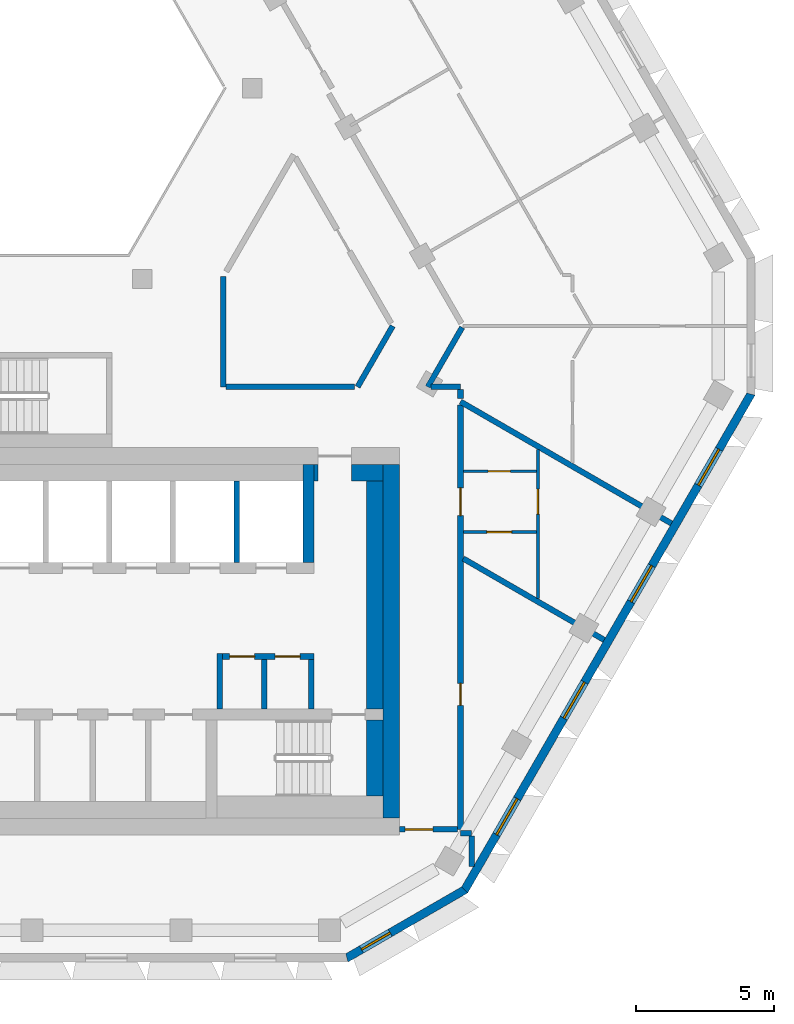
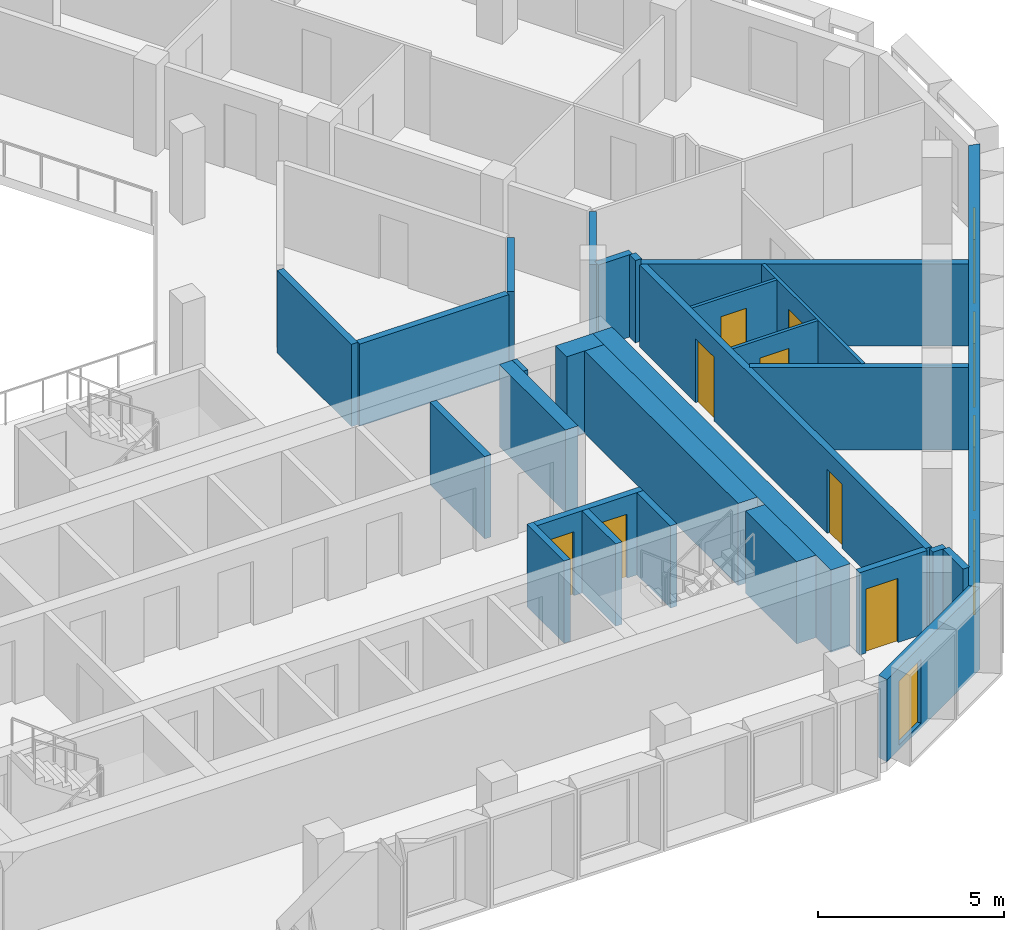
# One storey, part 5 of 15: 28 walls, 8 doors, 5 windows, 13 openings.
"""IFC4 building model written with IfcOpenShell, lengths in metres."""

from ifc_helpers import new_model, si_unit, direction, frame, frame_2d, origin, place, context, subcontext, project, spatial, polyline, rectangle, outline, extrude, material, layer, layer_set, type_object, element, fill, save


model = new_model("IFC4")

# Units and contexts
model_context = context("Model", 3, precision=1e-05, world=origin(), true_north=direction((0.0, 1.0)))
body_context = subcontext(model_context, "Body", "Model", "MODEL_VIEW")
ifc_project = project(units=[si_unit("LENGTHUNIT", "METRE"), si_unit("AREAUNIT", "SQUARE_METRE"), si_unit("VOLUMEUNIT", "CUBIC_METRE"), si_unit("PLANEANGLEUNIT", "RADIAN"), si_unit("MASSUNIT", "GRAM", prefix="KILO")], contexts=[model_context])

# Site, building, storey
site_placement = place(None, origin())
site = spatial("IfcSite", under=ifc_project, at=site_placement, CompositionType="ELEMENT")
building_placement = place(site_placement, origin())
building = spatial("IfcBuilding", under=site, at=building_placement, Name="Beryl Residences", CompositionType="ELEMENT")
storey_placement = place(building_placement, frame((0.0, 0.0, 169.199951171875)))
storey = spatial("IfcBuildingStorey", under=building, at=storey_placement, Name="L51", CompositionType="ELEMENT", Elevation=169.199951171875)

# Wall, opening, window
ifc_material_1 = material(Name="Composite metal panel with mineral wool insulation")
ifc_layer_1 = layer(ifc_material_1, 0.300048828125)
ifc_layer_set_1 = layer_set([ifc_layer_1], Name="ES1 pale metal composite panel wall 300 mm")
wall_type_1 = type_object("IfcWallType", Name="ES1 pale metal composite panel wall 300 mm", PredefinedType="SOLIDWALL", material=ifc_layer_set_1)
wall_1_placement = place(storey_placement, frame((11.35595703125, -23.469970703125, 0.0), z_axis=(0.0, 0.0, 1.0), x_axis=(0.866022959057, 0.500004234368, 0.0)))
wall_1 = element("IfcWall", 1, at=wall_1_placement, inside=storey, type_object=wall_type_1, Name="ES1 external wall L51 S-SE", PredefinedType="SOLIDWALL", context=body_context, shape_type="SweptSolid", body=[
    extrude(outline(polyline([(0.0, -0.14990234375), (5.0, -0.14990234375), (4.919677734375, 0.14990234375), (0.080322265625, 0.14990234375), (0.0, -0.14990234375)])), origin(), (0.0, 0.0, 1.0), 2.699951171875),
])
opening_1_placement = place(wall_1_placement, frame((0.64990234375, 0.0, 0.14990234375)))
opening_1 = element("IfcOpeningElement", 2, at=opening_1_placement, cuts=wall_1, Name="Opening W2", PredefinedType="OPENING", context=body_context, shape_type="SweptSolid", body=[
    extrude(rectangle(XDim=1.199951171875, YDim=2.10009765625, at=frame_2d((0.60009765625, 1.050048828125))), frame((0.0, 0.159912109375, 0.0), z_axis=(0.0, -1.0, 0.0), x_axis=(1.0, 0.0, 0.0)), (0.0, 0.0, 1.0), 0.320068359375),
])
ifc_material_2 = material(Name="Aluminium and clear glass", Category="aluminium")
window_type_1 = type_object("IfcWindowType", Name="W2 chamfer window 1200 x 2100 mm", PartitioningType="SINGLE_PANEL", PredefinedType="WINDOW", material=ifc_material_2)
window_1_placement = place(opening_1_placement, origin())
window_1 = element("IfcWindow", 3, at=window_1_placement, inside=storey, type_object=window_type_1, Name="W2 window L51 S-SE 1", OverallHeight=2.10009765625, OverallWidth=1.199951171875, PartitioningType="SINGLE_PANEL", PredefinedType="WINDOW", context=body_context, shape_type="SweptSolid", body=[
    extrude(rectangle(XDim=1.199951171875, YDim=2.10009765625, at=frame_2d((0.60009765625, 1.050048828125))), frame((0.0, 0.030029296875, 0.0), z_axis=(0.0, -1.0, 0.0), x_axis=(1.0, 0.0, 0.0)), (0.0, 0.0, 1.0), 0.06005859375),
])
fill(opening_1, window_1)

# Wall, openings, windows
wall_2_placement = place(storey_placement, frame((15.631103515625, -21.02490234375, 0.0), z_axis=(0.0, 0.0, 1.0), x_axis=(0.500018670445, 0.86601462413, 0.0)))
wall_2 = element("IfcWall", 4, at=wall_2_placement, inside=storey, type_object=wall_type_1, Name="ES1 external wall L51 SE", PredefinedType="SOLIDWALL", context=body_context, shape_type="SweptSolid", body=[
    extrude(outline(polyline([(0.0, -0.14990234375), (20.784912109375, -0.14990234375), (20.70458984375, 0.14990234375), (0.080322265625, 0.14990234375), (0.0, -0.14990234375)])), origin(), (0.0, 0.0, 1.0), 2.699951171875),
])
opening_2_placement = place(wall_2_placement, frame((2.345947265625, 0.0, 0.14990234375)))
opening_2 = element("IfcOpeningElement", 5, at=opening_2_placement, cuts=wall_2, Name="Opening W1", PredefinedType="OPENING", context=body_context, shape_type="SweptSolid", body=[
    extrude(rectangle(XDim=1.5, YDim=2.10009765625, at=frame_2d((0.75, 1.050048828125))), frame((0.0, 0.159912109375, 0.0), z_axis=(0.0, -1.0, 0.0), x_axis=(1.0, 0.0, 0.0)), (0.0, 0.0, 1.0), 0.320068359375),
])
opening_3_placement = place(wall_2_placement, frame((7.2099609375, 0.0, 0.14990234375)))
opening_3 = element("IfcOpeningElement", 6, at=opening_3_placement, cuts=wall_2, Name="Opening W1", PredefinedType="OPENING", context=body_context, shape_type="SweptSolid", body=[
    extrude(rectangle(XDim=1.5, YDim=2.10009765625, at=frame_2d((0.75, 1.050048828125))), frame((0.0, 0.159912109375, 0.0), z_axis=(0.0, -1.0, 0.0), x_axis=(1.0, 0.0, 0.0)), (0.0, 0.0, 1.0), 0.320068359375),
])
opening_4_placement = place(wall_2_placement, frame((12.072998046875, 0.0, 0.14990234375)))
opening_4 = element("IfcOpeningElement", 7, at=opening_4_placement, cuts=wall_2, Name="Opening W1", PredefinedType="OPENING", context=body_context, shape_type="SweptSolid", body=[
    extrude(rectangle(XDim=1.5, YDim=2.10009765625, at=frame_2d((0.75, 1.050048828125))), frame((0.0, 0.159912109375, 0.0), z_axis=(0.0, -1.0, 0.0), x_axis=(1.0, 0.0, 0.0)), (0.0, 0.0, 1.0), 0.320068359375),
])
opening_5_placement = place(wall_2_placement, frame((16.93798828125, 0.0, 0.14990234375)))
opening_5 = element("IfcOpeningElement", 8, at=opening_5_placement, cuts=wall_2, Name="Opening W1", PredefinedType="OPENING", context=body_context, shape_type="SweptSolid", body=[
    extrude(rectangle(XDim=1.5, YDim=2.10009765625, at=frame_2d((0.75, 1.050048828125))), frame((0.0, 0.159912109375, 0.0), z_axis=(0.0, -1.0, 0.0), x_axis=(1.0, 0.0, 0.0)), (0.0, 0.0, 1.0), 0.320068359375),
])
ifc_material_3 = material(Name="Aluminium and clear glass", Category="aluminium")
window_type_2 = type_object("IfcWindowType", Name="W1 cell window 1500 x 2100 mm", PartitioningType="SINGLE_PANEL", PredefinedType="WINDOW", material=ifc_material_3)
window_2_placement = place(opening_2_placement, origin())
window_2 = element("IfcWindow", 9, at=window_2_placement, inside=storey, type_object=window_type_2, Name="W1 window L51 SE 2", OverallHeight=2.10009765625, OverallWidth=1.5, PartitioningType="SINGLE_PANEL", PredefinedType="WINDOW", context=body_context, shape_type="SweptSolid", body=[
    extrude(rectangle(XDim=1.5, YDim=2.10009765625, at=frame_2d((0.75, 1.050048828125))), frame((0.0, 0.030029296875, 0.0), z_axis=(0.0, -1.0, 0.0), x_axis=(1.0, 0.0, 0.0)), (0.0, 0.0, 1.0), 0.06005859375),
])
fill(opening_2, window_2)
window_3_placement = place(opening_3_placement, origin())
window_3 = element("IfcWindow", 10, at=window_3_placement, inside=storey, type_object=window_type_2, Name="W1 window L51 SE 4", OverallHeight=2.10009765625, OverallWidth=1.5, PartitioningType="SINGLE_PANEL", PredefinedType="WINDOW", context=body_context, shape_type="SweptSolid", body=[
    extrude(rectangle(XDim=1.5, YDim=2.10009765625, at=frame_2d((0.75, 1.050048828125))), frame((0.0, 0.030029296875, 0.0), z_axis=(0.0, -1.0, 0.0), x_axis=(1.0, 0.0, 0.0)), (0.0, 0.0, 1.0), 0.06005859375),
])
fill(opening_3, window_3)
window_4_placement = place(opening_4_placement, origin())
window_4 = element("IfcWindow", 11, at=window_4_placement, inside=storey, type_object=window_type_2, Name="W1 window L51 SE 6", OverallHeight=2.10009765625, OverallWidth=1.5, PartitioningType="SINGLE_PANEL", PredefinedType="WINDOW", context=body_context, shape_type="SweptSolid", body=[
    extrude(rectangle(XDim=1.5, YDim=2.10009765625, at=frame_2d((0.75, 1.050048828125))), frame((0.0, 0.030029296875, 0.0), z_axis=(0.0, -1.0, 0.0), x_axis=(1.0, 0.0, 0.0)), (0.0, 0.0, 1.0), 0.06005859375),
])
fill(opening_4, window_4)
window_5_placement = place(opening_5_placement, origin())
window_5 = element("IfcWindow", 12, at=window_5_placement, inside=storey, type_object=window_type_2, Name="W1 window L51 SE 8", OverallHeight=2.10009765625, OverallWidth=1.5, PartitioningType="SINGLE_PANEL", PredefinedType="WINDOW", context=body_context, shape_type="SweptSolid", body=[
    extrude(rectangle(XDim=1.5, YDim=2.10009765625, at=frame_2d((0.75, 1.050048828125))), frame((0.0, 0.030029296875, 0.0), z_axis=(0.0, -1.0, 0.0), x_axis=(1.0, 0.0, 0.0)), (0.0, 0.0, 1.0), 0.06005859375),
])
fill(opening_5, window_5)

# Wall, opening, door
ifc_material_4 = material(Name="Gypsum board partition on steel studs", Category="steel")
ifc_layer_2 = layer(ifc_material_4, 0.10009765625)
ifc_layer_set_2 = layer_set([ifc_layer_2], Name="PT1 partition 100 mm gypsum board on steel studs")
wall_type_2 = type_object("IfcWallType", Name="PT1 partition 100 mm gypsum board on steel studs", PredefinedType="PARTITIONING", material=ifc_layer_set_2)
wall_3_placement = place(storey_placement, frame((15.60009765625, -5.85107421875, 0.0), z_axis=(0.0, 0.0, 1.0), x_axis=(1.0, 0.0, 0.0)))
wall_3 = element("IfcWall", 13, at=wall_3_placement, inside=storey, type_object=wall_type_2, Name="Wall PT1 L51 017", PredefinedType="PARTITIONING", context=body_context, shape_type="SweptSolid", body=[
    extrude(rectangle(XDim=2.64990234375, YDim=0.10009765625, at=frame_2d((1.324951171875, 0.0))), origin(), (0.0, 0.0, 1.0), 2.699951171875),
])
opening_6_placement = place(wall_3_placement, frame((0.89990234375, 0.0, 0.0)))
opening_6 = element("IfcOpeningElement", 14, at=opening_6_placement, cuts=wall_3, Name="Opening D1612", PredefinedType="OPENING", context=body_context, shape_type="SweptSolid", body=[
    extrude(rectangle(XDim=0.800048828125, YDim=2.10009765625, at=frame_2d((0.39990234375, 1.050048828125))), frame((0.0, 0.06005859375, 0.0), z_axis=(0.0, -1.0, 0.0), x_axis=(1.0, 0.0, 0.0)), (0.0, 0.0, 1.0), 0.1201171875),
])
ifc_material_5 = material(Name="Timber door leaf", Category="wood")
door_type_1 = type_object("IfcDoorType", Name="D3 bathroom door 800 x 2100 mm", OperationType="SINGLE_SWING_LEFT", PredefinedType="DOOR", material=ifc_material_5)
door_1_placement = place(opening_6_placement, origin())
door_1 = element("IfcDoor", 15, at=door_1_placement, inside=storey, type_object=door_type_1, Name="Door D1612 L51 001", OperationType="SINGLE_SWING_RIGHT", OverallHeight=2.10009765625, OverallWidth=0.800048828125, PredefinedType="DOOR", context=body_context, shape_type="SweptSolid", body=[
    extrude(rectangle(XDim=0.800048828125, YDim=2.10009765625, at=frame_2d((0.39990234375, 1.050048828125))), frame((0.0, 0.02490234375, 0.0), z_axis=(0.0, -1.0, 0.0), x_axis=(1.0, 0.0, 0.0)), (0.0, 0.0, 1.0), 0.050048828125),
])
fill(opening_6, door_1)

wall_4_placement = place(storey_placement, frame((15.60009765625, -8.051025390625, 0.0), z_axis=(0.0, 0.0, 1.0), x_axis=(1.0, 0.0, 0.0)))
wall_4 = element("IfcWall", 16, at=wall_4_placement, inside=storey, type_object=wall_type_2, Name="Wall PT1 L51 019", PredefinedType="PARTITIONING", context=body_context, shape_type="SweptSolid", body=[
    extrude(rectangle(XDim=2.64990234375, YDim=0.10009765625, at=frame_2d((1.324951171875, 0.0))), origin(), (0.0, 0.0, 1.0), 2.699951171875),
])
opening_7_placement = place(wall_4_placement, frame((0.85009765625, 0.0, 0.0)))
opening_7 = element("IfcOpeningElement", 17, at=opening_7_placement, cuts=wall_4, Name="Opening D1613", PredefinedType="OPENING", context=body_context, shape_type="SweptSolid", body=[
    extrude(rectangle(XDim=0.89990234375, YDim=2.10009765625, at=frame_2d((0.449951171875, 1.050048828125))), frame((0.0, 0.06005859375, 0.0), z_axis=(0.0, -1.0, 0.0), x_axis=(1.0, 0.0, 0.0)), (0.0, 0.0, 1.0), 0.1201171875),
])
ifc_material_6 = material(Name="Timber door leaf", Category="wood")
door_type_2 = type_object("IfcDoorType", Name="D2 room door 900 x 2100 mm", OperationType="SINGLE_SWING_LEFT", PredefinedType="DOOR", material=ifc_material_6)
door_2_placement = place(opening_7_placement, origin())
door_2 = element("IfcDoor", 18, at=door_2_placement, inside=storey, type_object=door_type_2, Name="Door D1613 L51 001", OperationType="SINGLE_SWING_LEFT", OverallHeight=2.10009765625, OverallWidth=0.89990234375, PredefinedType="DOOR", context=body_context, shape_type="SweptSolid", body=[
    extrude(rectangle(XDim=0.89990234375, YDim=2.10009765625, at=frame_2d((0.449951171875, 1.050048828125))), frame((0.0, 0.02490234375, 0.0), z_axis=(0.0, -1.0, 0.0), x_axis=(1.0, 0.0, 0.0)), (0.0, 0.0, 1.0), 0.050048828125),
])
fill(opening_7, door_2)

wall_5_placement = place(storey_placement, frame((18.300048828125, -10.451904296875, 0.0), z_axis=(0.0, 0.0, 1.0), x_axis=(0.0, 1.0, 0.0)))
wall_5 = element("IfcWall", 19, at=wall_5_placement, inside=storey, type_object=wall_type_2, Name="Wall PT1 L51 033", PredefinedType="PARTITIONING", context=body_context, shape_type="SweptSolid", body=[
    extrude(rectangle(XDim=5.385986328125, YDim=0.10009765625, at=frame_2d((2.69287109375, 0.0))), origin(), (0.0, 0.0, 1.0), 2.699951171875),
])
opening_8_placement = place(wall_5_placement, frame((3.051025390625, 0.0, 0.0)))
opening_8 = element("IfcOpeningElement", 20, at=opening_8_placement, cuts=wall_5, Name="Opening D1614", PredefinedType="OPENING", context=body_context, shape_type="SweptSolid", body=[
    extrude(rectangle(XDim=0.89990234375, YDim=2.10009765625, at=frame_2d((0.449951171875, 1.050048828125))), frame((0.0, 0.06005859375, 0.0), z_axis=(0.0, -1.0, 0.0), x_axis=(1.0, 0.0, 0.0)), (0.0, 0.0, 1.0), 0.1201171875),
])
door_3_placement = place(opening_8_placement, origin())
door_3 = element("IfcDoor", 21, at=door_3_placement, inside=storey, type_object=door_type_2, Name="Door D1614 L51 001", OperationType="SINGLE_SWING_RIGHT", OverallHeight=2.10009765625, OverallWidth=0.89990234375, PredefinedType="DOOR", context=body_context, shape_type="SweptSolid", body=[
    extrude(rectangle(XDim=0.89990234375, YDim=2.10009765625, at=frame_2d((0.449951171875, 1.050048828125))), frame((0.0, 0.02490234375, 0.0), z_axis=(0.0, -1.0, 0.0), x_axis=(1.0, 0.0, 0.0)), (0.0, 0.0, 1.0), 0.050048828125),
])
fill(opening_8, door_3)

# Wall
ifc_material_7 = material(Name="Concrete masonry", Category="masonry")
ifc_layer_3 = layer(ifc_material_7, 0.199951171875)
ifc_layer_set_3 = layer_set([ifc_layer_3], Name="PT13 lobby wall 200 mm")
wall_type_3 = type_object("IfcWallType", Name="PT13 lobby wall 200 mm", PredefinedType="PARTITIONING", material=ifc_layer_set_3)
wall_6_placement = place(storey_placement, frame((6.800048828125, -14.449951171875, 0.0), z_axis=(0.0, 0.0, 1.0), x_axis=(0.0, 1.0, 0.0)))
element("IfcWall", 22, at=wall_6_placement, inside=storey, type_object=wall_type_3, Name="Lobby wall 26", PredefinedType="PARTITIONING", context=body_context, shape_type="SweptSolid", body=[
    extrude(rectangle(XDim=2.0, YDim=0.199951171875, at=frame_2d((1.0, 0.0))), origin(), (0.0, 0.0, 1.0), 2.699951171875),
])

# Wall, openings, doors
wall_7_placement = place(storey_placement, frame((6.89990234375, -12.550048828125, 0.0), z_axis=(0.0, 0.0, 1.0), x_axis=(1.0, 0.0, 0.0)))
wall_7 = element("IfcWall", 23, at=wall_7_placement, inside=storey, type_object=wall_type_3, Name="Lobby wall 27", PredefinedType="PARTITIONING", context=body_context, shape_type="SweptSolid", body=[
    extrude(rectangle(XDim=3.300048828125, YDim=0.199951171875, at=frame_2d((1.64990234375, 0.0))), origin(), (0.0, 0.0, 1.0), 2.699951171875),
])
opening_9_placement = place(wall_7_placement, frame((1.14990234375, 0.0, 0.0), z_axis=(0.0, 0.0, 1.0), x_axis=(-1.0, 0.0, 0.0)))
opening_9 = element("IfcOpeningElement", 24, at=opening_9_placement, cuts=wall_7, Name="Opening CD-D-A1-900", PredefinedType="OPENING", context=body_context, shape_type="SweptSolid", body=[
    extrude(rectangle(XDim=0.89990234375, YDim=2.10009765625, at=frame_2d((0.449951171875, 1.050048828125))), frame((0.0, 0.10986328125, 0.0), z_axis=(0.0, -1.0, 0.0), x_axis=(1.0, 0.0, 0.0)), (0.0, 0.0, 1.0), 0.219970703125),
])
opening_10_placement = place(wall_7_placement, frame((2.7998046875, 0.0, 0.0), z_axis=(0.0, 0.0, 1.0), x_axis=(-1.0, 0.0, 0.0)))
opening_10 = element("IfcOpeningElement", 25, at=opening_10_placement, cuts=wall_7, Name="Opening CD-D-A2-900", PredefinedType="OPENING", context=body_context, shape_type="SweptSolid", body=[
    extrude(rectangle(XDim=0.89990234375, YDim=2.10009765625, at=frame_2d((0.449951171875, 1.050048828125))), frame((0.0, 0.10986328125, 0.0), z_axis=(0.0, -1.0, 0.0), x_axis=(1.0, 0.0, 0.0)), (0.0, 0.0, 1.0), 0.219970703125),
])
ifc_material_8 = material(Name="Steel door leaf in steel frame", Category="steel")
door_type_3 = type_object("IfcDoorType", Name="D6 service room door 900 x 2100 mm", OperationType="SINGLE_SWING_LEFT", PredefinedType="DOOR", material=ifc_material_8)
door_4_placement = place(opening_9_placement, origin())
door_4 = element("IfcDoor", 26, at=door_4_placement, inside=storey, type_object=door_type_3, Name="Door CD-D-A1-900 L51 001", OperationType="SINGLE_SWING_RIGHT", OverallHeight=2.10009765625, OverallWidth=0.89990234375, PredefinedType="DOOR", context=body_context, shape_type="SweptSolid", body=[
    extrude(rectangle(XDim=0.89990234375, YDim=2.10009765625, at=frame_2d((0.449951171875, 1.050048828125))), frame((0.0, 0.02490234375, 0.0), z_axis=(0.0, -1.0, 0.0), x_axis=(1.0, 0.0, 0.0)), (0.0, 0.0, 1.0), 0.050048828125),
])
fill(opening_9, door_4)
door_5_placement = place(opening_10_placement, origin())
door_5 = element("IfcDoor", 27, at=door_5_placement, inside=storey, type_object=door_type_3, Name="Door CD-D-A2-900 L51 001", OperationType="SINGLE_SWING_LEFT", OverallHeight=2.10009765625, OverallWidth=0.89990234375, PredefinedType="DOOR", context=body_context, shape_type="SweptSolid", body=[
    extrude(rectangle(XDim=0.89990234375, YDim=2.10009765625, at=frame_2d((0.449951171875, 1.050048828125))), frame((0.0, 0.02490234375, 0.0), z_axis=(0.0, -1.0, 0.0), x_axis=(1.0, 0.0, 0.0)), (0.0, 0.0, 1.0), 0.050048828125),
])
fill(opening_10, door_5)

# Walls
wall_8_placement = place(storey_placement, frame((10.10009765625, -14.449951171875, 0.0), z_axis=(0.0, 0.0, 1.0), x_axis=(0.0, 1.0, 0.0)))
element("IfcWall", 28, at=wall_8_placement, inside=storey, type_object=wall_type_3, Name="Lobby wall 30", PredefinedType="PARTITIONING", context=body_context, shape_type="SweptSolid", body=[
    extrude(rectangle(XDim=1.800048828125, YDim=0.199951171875, at=frame_2d((0.89990234375, 0.0))), origin(), (0.0, 0.0, 1.0), 2.699951171875),
])
ifc_material_9 = material(Name="Concrete masonry", Category="masonry")
ifc_layer_4 = layer(ifc_material_9, 0.14990234375)
ifc_layer_set_4 = layer_set([ifc_layer_4], Name="PT13-150 lobby wall 150 mm")
wall_type_4 = type_object("IfcWallType", Name="PT13-150 lobby wall 150 mm", PredefinedType="PARTITIONING", material=ifc_layer_set_4)
wall_9_placement = place(storey_placement, frame((10.27490234375, -6.199951171875, 0.0), z_axis=(0.0, 0.0, 1.0), x_axis=(0.0, 1.0, 0.0)))
element("IfcWall", 29, at=wall_9_placement, inside=storey, type_object=wall_type_4, Name="Lobby wall 31", PredefinedType="PARTITIONING", context=body_context, shape_type="SweptSolid", body=[
    extrude(rectangle(XDim=0.599853515625, YDim=0.14990234375, at=frame_2d((0.2998046875, 0.0))), origin(), (0.0, 0.0, 1.0), 2.699951171875),
])
ifc_material_10 = material(Name="Concrete masonry", Category="masonry")
ifc_layer_5 = layer(ifc_material_10, 0.60009765625)
ifc_layer_set_5 = layer_set([ifc_layer_5], Name="PT13-600 lobby wall 600 mm")
wall_type_5 = type_object("IfcWallType", Name="PT13-600 lobby wall 600 mm", PredefinedType="PARTITIONING", material=ifc_layer_set_5)
wall_10_placement = place(storey_placement, frame((11.550048828125, -5.89990234375, 0.0), z_axis=(0.0, 0.0, 1.0), x_axis=(1.0, 0.0, 0.0)))
element("IfcWall", 30, at=wall_10_placement, inside=storey, type_object=wall_type_5, Name="Lobby wall 32", PredefinedType="PARTITIONING", context=body_context, shape_type="SweptSolid", body=[
    extrude(rectangle(XDim=1.14990234375, YDim=0.60009765625, at=frame_2d((0.574951171875, 0.0))), origin(), (0.0, 0.0, 1.0), 2.699951171875),
])
wall_11_placement = place(storey_placement, frame((12.39990234375, -14.449951171875, 0.0), z_axis=(0.0, 0.0, 1.0), x_axis=(0.0, 1.0, 0.0)))
element("IfcWall", 31, at=wall_11_placement, inside=storey, type_object=wall_type_5, Name="Lobby wall 34", PredefinedType="PARTITIONING", context=body_context, shape_type="SweptSolid", body=[
    extrude(rectangle(XDim=8.25, YDim=0.60009765625, at=frame_2d((4.125, 0.0))), origin(), (0.0, 0.0, 1.0), 2.699951171875),
])
ifc_material_11 = material(Name="Acoustic double stud gypsum board wall")
ifc_layer_6 = layer(ifc_material_11, 0.199951171875)
ifc_layer_set_6 = layer_set([ifc_layer_6], Name="PT3 party wall 200 mm acoustic double stud")
wall_type_6 = type_object("IfcWallType", Name="PT3 party wall 200 mm acoustic double stud", PredefinedType="PARTITIONING", material=ifc_layer_set_6)
wall_12_placement = place(storey_placement, frame((15.89990234375, -19.051025390625, 0.0), z_axis=(0.0, 0.0, 1.0), x_axis=(0.0, -1.0, 0.0)))
element("IfcWall", 32, at=wall_12_placement, inside=storey, type_object=wall_type_6, Name="Wall PT3 L51 001", PredefinedType="PARTITIONING", context=body_context, shape_type="SweptSolid", body=[
    extrude(rectangle(XDim=1.0869140625, YDim=0.199951171875, at=frame_2d((0.54345703125, 0.0))), origin(), (0.0, 0.0, 1.0), 2.699951171875),
])
wall_13_placement = place(storey_placement, frame((15.60009765625, -9.008056640625, 0.0), z_axis=(0.0, 0.0, 1.0), x_axis=(0.866013576751, -0.500020484464, 0.0)))
element("IfcWall", 33, at=wall_13_placement, inside=storey, type_object=wall_type_6, Name="Wall PT3 L51 003", PredefinedType="PARTITIONING", context=body_context, shape_type="SweptSolid", body=[
    extrude(rectangle(XDim=5.885498046875, YDim=0.199951171875, at=frame_2d((2.94287109375, 0.0))), origin(), (0.0, 0.0, 1.0), 2.699951171875),
])
wall_14_placement = place(storey_placement, frame((15.5, -3.333984375, 0.0), z_axis=(0.0, 0.0, 1.0), x_axis=(0.866001896501, -0.5000407136, 0.0)))
element("IfcWall", 34, at=wall_14_placement, inside=storey, type_object=wall_type_6, Name="Wall PT3 L51 004", PredefinedType="PARTITIONING", context=body_context, shape_type="SweptSolid", body=[
    extrude(rectangle(XDim=8.809326171875, YDim=0.199951171875, at=frame_2d((4.40478515625, 0.0))), origin(), (0.0, 0.0, 1.0), 2.699951171875),
])
wall_15_placement = place(storey_placement, frame((15.4990234375, -18.949951171875, 0.0), z_axis=(0.0, 0.0, 1.0), x_axis=(1.0, 0.0, 0.0)))
element("IfcWall", 35, at=wall_15_placement, inside=storey, type_object=wall_type_6, Name="Wall PT3 L51 013", PredefinedType="PARTITIONING", context=body_context, shape_type="SweptSolid", body=[
    extrude(rectangle(XDim=0.39990234375, YDim=0.199951171875, at=frame_2d((0.199951171875, 0.0))), origin(), (0.0, 0.0, 1.0), 2.699951171875),
])
ifc_material_12 = material(Name="Double stud gypsum board wall")
ifc_layer_7 = layer(ifc_material_12, 0.199951171875)
ifc_layer_set_7 = layer_set([ifc_layer_7], Name="PT4 corridor wall 200 mm double stud")
wall_type_7 = type_object("IfcWallType", Name="PT4 corridor wall 200 mm double stud", PredefinedType="PARTITIONING", material=ifc_layer_set_7)
wall_16_placement = place(storey_placement, frame((15.5, -2.90087890625, 0.0), z_axis=(0.0, 0.0, 1.0), x_axis=(0.0, -1.0, 0.0)))
element("IfcWall", 36, at=wall_16_placement, inside=storey, type_object=wall_type_7, Name="Wall PT4 L51 007", PredefinedType="PARTITIONING", context=body_context, shape_type="SweptSolid", body=[
    extrude(rectangle(XDim=0.318115234375, YDim=0.199951171875, at=frame_2d((0.1591796875, 0.0))), origin(), (0.0, 0.0, 1.0), 2.699951171875),
])

# Wall, opening, door
wall_17_placement = place(storey_placement, frame((13.300048828125, -18.800048828125, 0.0), z_axis=(0.0, 0.0, 1.0), x_axis=(1.0, 0.0, 0.0)))
wall_17 = element("IfcWall", 37, at=wall_17_placement, inside=storey, type_object=wall_type_7, Name="Wall PT4 L51 009", PredefinedType="PARTITIONING", context=body_context, shape_type="SweptSolid", body=[
    extrude(rectangle(XDim=2.098876953125, YDim=0.199951171875, at=frame_2d((1.04931640625, 0.0))), origin(), (0.0, 0.0, 1.0), 2.699951171875),
])
opening_11_placement = place(wall_17_placement, frame((0.199951171875, 0.0, 0.0)))
opening_11 = element("IfcOpeningElement", 38, at=opening_11_placement, cuts=wall_17, Name="Opening D1644", PredefinedType="OPENING", context=body_context, shape_type="SweptSolid", body=[
    extrude(rectangle(XDim=1.0, YDim=2.10009765625, at=frame_2d((0.5, 1.050048828125))), frame((0.0, 0.10986328125, 0.0), z_axis=(0.0, -1.0, 0.0), x_axis=(1.0, 0.0, 0.0)), (0.0, 0.0, 1.0), 0.219970703125),
])
ifc_material_13 = material(Name="Timber door leaf", Category="wood")
door_type_4 = type_object("IfcDoorType", Name="D1 flat entrance door 1000 x 2100 mm", OperationType="SINGLE_SWING_LEFT", PredefinedType="DOOR", material=ifc_material_13)
door_6_placement = place(opening_11_placement, origin())
door_6 = element("IfcDoor", 39, at=door_6_placement, inside=storey, type_object=door_type_4, Name="Door D1644 L51 001", OperationType="SINGLE_SWING_LEFT", OverallHeight=2.10009765625, OverallWidth=1.0, PredefinedType="DOOR", context=body_context, shape_type="SweptSolid", body=[
    extrude(rectangle(XDim=1.0, YDim=2.10009765625, at=frame_2d((0.5, 1.050048828125))), frame((0.0, 0.02490234375, 0.0), z_axis=(0.0, -1.0, 0.0), x_axis=(1.0, 0.0, 0.0)), (0.0, 0.0, 1.0), 0.050048828125),
])
fill(opening_11, door_6)

# Walls
wall_18_placement = place(storey_placement, frame((7.028076171875, -2.800048828125, 0.0), z_axis=(0.0, 0.0, 1.0), x_axis=(1.0, 0.0, 0.0)))
element("IfcWall", 40, at=wall_18_placement, inside=storey, type_object=wall_type_7, Name="Wall PT4 L51 012", PredefinedType="PARTITIONING", context=body_context, shape_type="SweptSolid", body=[
    extrude(rectangle(XDim=4.634033203125, YDim=0.199951171875, at=frame_2d((2.31689453125, 0.0))), origin(), (0.0, 0.0, 1.0), 2.699951171875),
])
wall_19_placement = place(storey_placement, frame((14.43310546875, -2.800048828125, 0.0), z_axis=(0.0, 0.0, 1.0), x_axis=(1.0, 0.0, 0.0)))
element("IfcWall", 41, at=wall_19_placement, inside=storey, type_object=wall_type_7, Name="Wall PT4 L51 013", PredefinedType="PARTITIONING", context=body_context, shape_type="SweptSolid", body=[
    extrude(rectangle(XDim=1.06591796875, YDim=0.199951171875, at=frame_2d((0.532958984375, 0.0))), origin(), (0.0, 0.0, 1.0), 2.699951171875),
])
wall_20_placement = place(storey_placement, frame((11.777099609375, -2.800048828125, 0.0), z_axis=(0.0, 0.0, 1.0), x_axis=(0.500085537782, 0.86597601289, 0.0)))
element("IfcWall", 42, at=wall_20_placement, inside=storey, type_object=wall_type_7, Name="Wall PT4 L51 016", PredefinedType="PARTITIONING", context=body_context, shape_type="SweptSolid", body=[
    extrude(rectangle(XDim=2.54150390625, YDim=0.199951171875, at=frame_2d((1.270751953125, 0.0))), origin(), (0.0, 0.0, 1.0), 2.699951171875),
])
wall_21_placement = place(storey_placement, frame((14.318115234375, -2.800048828125, 0.0), z_axis=(0.0, 0.0, 1.0), x_axis=(0.49970259524, 0.866197042428, 0.0)))
element("IfcWall", 43, at=wall_21_placement, inside=storey, type_object=wall_type_7, Name="Wall PT4 L51 017", PredefinedType="PARTITIONING", context=body_context, shape_type="SweptSolid", body=[
    extrude(rectangle(XDim=2.4833984375, YDim=0.199951171875, at=frame_2d((1.24169921875, 0.0))), origin(), (0.0, 0.0, 1.0), 2.699951171875),
])
wall_22_placement = place(storey_placement, frame((6.927978515625, -2.800048828125, 0.0), z_axis=(0.0, 0.0, 1.0), x_axis=(0.0, 1.0, 0.0)))
element("IfcWall", 44, at=wall_22_placement, inside=storey, type_object=wall_type_7, Name="Wall PT4 L51 021", PredefinedType="PARTITIONING", context=body_context, shape_type="SweptSolid", body=[
    extrude(rectangle(XDim=4.0, YDim=0.199951171875, at=frame_2d((2.0, 0.0))), origin(), (0.0, 0.0, 1.0), 2.699951171875),
])

# Wall, openings, doors
wall_23_placement = place(storey_placement, frame((15.5, -18.799072265625, 0.0), z_axis=(0.0, 0.0, 1.0), x_axis=(0.0, 1.0, 0.0)))
wall_23 = element("IfcWall", 45, at=wall_23_placement, inside=storey, type_object=wall_type_7, Name="Wall PT4 L51 022", PredefinedType="PARTITIONING", context=body_context, shape_type="SweptSolid", body=[
    extrude(rectangle(XDim=15.34912109375, YDim=0.199951171875, at=frame_2d((7.674560546875, 0.0))), origin(), (0.0, 0.0, 1.0), 2.699951171875),
])
opening_12_placement = place(wall_23_placement, frame((4.47705078125, 0.0, 0.0)))
opening_12 = element("IfcOpeningElement", 46, at=opening_12_placement, cuts=wall_23, Name="Opening D1610", PredefinedType="OPENING", context=body_context, shape_type="SweptSolid", body=[
    extrude(rectangle(XDim=0.800048828125, YDim=2.10009765625, at=frame_2d((0.39990234375, 1.050048828125))), frame((0.0, 0.10986328125, 0.0), z_axis=(0.0, -1.0, 0.0), x_axis=(1.0, 0.0, 0.0)), (0.0, 0.0, 1.0), 0.219970703125),
])
opening_13_placement = place(wall_23_placement, frame((11.347900390625, 0.0, 0.0)))
opening_13 = element("IfcOpeningElement", 47, at=opening_13_placement, cuts=wall_23, Name="Opening D1611", PredefinedType="OPENING", context=body_context, shape_type="SweptSolid", body=[
    extrude(rectangle(XDim=1.0, YDim=2.10009765625, at=frame_2d((0.5, 1.050048828125))), frame((0.0, 0.10986328125, 0.0), z_axis=(0.0, -1.0, 0.0), x_axis=(1.0, 0.0, 0.0)), (0.0, 0.0, 1.0), 0.219970703125),
])
door_7_placement = place(opening_13_placement, origin())
door_7 = element("IfcDoor", 48, at=door_7_placement, inside=storey, type_object=door_type_4, Name="Door D1611 L51 001", OperationType="SINGLE_SWING_LEFT", OverallHeight=2.10009765625, OverallWidth=1.0, PredefinedType="DOOR", context=body_context, shape_type="SweptSolid", body=[
    extrude(rectangle(XDim=1.0, YDim=2.10009765625, at=frame_2d((0.5, 1.050048828125))), frame((0.0, 0.02490234375, 0.0), z_axis=(0.0, -1.0, 0.0), x_axis=(1.0, 0.0, 0.0)), (0.0, 0.0, 1.0), 0.050048828125),
])
fill(opening_13, door_7)
door_8_placement = place(opening_12_placement, origin())
door_8 = element("IfcDoor", 49, at=door_8_placement, inside=storey, type_object=door_type_1, Name="Door D1610 L51 001", OperationType="SINGLE_SWING_RIGHT", OverallHeight=2.10009765625, OverallWidth=0.800048828125, PredefinedType="DOOR", context=body_context, shape_type="SweptSolid", body=[
    extrude(rectangle(XDim=0.800048828125, YDim=2.10009765625, at=frame_2d((0.39990234375, 1.050048828125))), frame((0.0, 0.02490234375, 0.0), z_axis=(0.0, -1.0, 0.0), x_axis=(1.0, 0.0, 0.0)), (0.0, 0.0, 1.0), 0.050048828125),
])
fill(opening_12, door_8)

# Walls
ifc_material_14 = material(Name="Concrete C40/50", Category="concrete")
ifc_layer_8 = layer(ifc_material_14, 0.60009765625)
ifc_layer_set_8 = layer_set([ifc_layer_8], Name="PT5-600 stair enclosure wall 600 mm")
wall_type_8 = type_object("IfcWallType", Name="PT5-600 stair enclosure wall 600 mm", PredefinedType="SOLIDWALL", material=ifc_layer_set_8)
wall_24_placement = place(storey_placement, frame((12.39990234375, -17.60009765625, 0.0), z_axis=(0.0, 0.0, 1.0), x_axis=(0.0, 1.0, 0.0)))
element("IfcWall", 50, at=wall_24_placement, inside=storey, type_object=wall_type_8, Name="Stair wall 33", PredefinedType="SOLIDWALL", context=body_context, shape_type="SweptSolid", body=[
    extrude(rectangle(XDim=2.75, YDim=0.60009765625, at=frame_2d((1.375, 0.0))), origin(), (0.0, 0.0, 1.0), 2.699951171875),
])
ifc_material_15 = material(Name="Concrete C40/50", Category="concrete")
ifc_layer_9 = layer(ifc_material_15, 0.199951171875)
ifc_layer_set_9 = layer_set([ifc_layer_9], Name="PT6 lift shaft wall 200 mm reinforced concrete C40/50")
wall_type_9 = type_object("IfcWallType", Name="PT6 lift shaft wall 200 mm reinforced concrete C40/50", PredefinedType="SOLIDWALL", material=ifc_layer_set_9)
wall_25_placement = place(storey_placement, frame((7.39990234375, -9.14990234375, 0.0), z_axis=(0.0, 0.0, 1.0), x_axis=(0.0, 1.0, 0.0)))
element("IfcWall", 51, at=wall_25_placement, inside=storey, type_object=wall_type_9, Name="Lift shaft wall 28", PredefinedType="SOLIDWALL", context=body_context, shape_type="SweptSolid", body=[
    extrude(rectangle(XDim=2.949951171875, YDim=0.199951171875, at=frame_2d((1.47509765625, 0.0))), origin(), (0.0, 0.0, 1.0), 2.699951171875),
])
ifc_material_16 = material(Name="Concrete masonry", Category="masonry")
ifc_layer_10 = layer(ifc_material_16, 0.199951171875)
ifc_layer_set_10 = layer_set([ifc_layer_10], Name="PT8-200 service room wall 200 mm")
wall_type_10 = type_object("IfcWallType", Name="PT8-200 service room wall 200 mm", PredefinedType="PARTITIONING", material=ifc_layer_set_10)
wall_26_placement = place(storey_placement, frame((8.39990234375, -14.449951171875, 0.0), z_axis=(0.0, 0.0, 1.0), x_axis=(0.0, 1.0, 0.0)))
element("IfcWall", 52, at=wall_26_placement, inside=storey, type_object=wall_type_10, Name="Core room wall 29", PredefinedType="PARTITIONING", context=body_context, shape_type="SweptSolid", body=[
    extrude(rectangle(XDim=1.800048828125, YDim=0.199951171875, at=frame_2d((0.89990234375, 0.0))), origin(), (0.0, 0.0, 1.0), 2.699951171875),
])
ifc_material_17 = material(Name="Concrete C50/60", Category="concrete")
ifc_layer_11 = layer(ifc_material_17, 0.60009765625)
ifc_layer_set_11 = layer_set([ifc_layer_11], Name="SW4 core outer wall 600 mm C50/60")
wall_type_11 = type_object("IfcWallType", Name="SW4 core outer wall 600 mm C50/60", PredefinedType="SHEAR", material=ifc_layer_set_11)
wall_27_placement = place(storey_placement, frame((13.0, -18.39990234375, 0.0), z_axis=(0.0, 0.0, 1.0), x_axis=(0.0, 1.0, 0.0)))
element("IfcWall", 53, at=wall_27_placement, inside=storey, type_object=wall_type_11, Name="Core wall E L51", PredefinedType="SHEAR", context=body_context, shape_type="SweptSolid", body=[
    extrude(rectangle(XDim=12.7998046875, YDim=0.60009765625, at=frame_2d((6.39990234375, 0.0))), origin(), (0.0, 0.0, 1.0), 2.699951171875),
])
ifc_material_18 = material(Name="Concrete C50/60", Category="concrete")
ifc_layer_12 = layer(ifc_material_18, 0.39990234375)
ifc_layer_set_12 = layer_set([ifc_layer_12], Name="SW9 core internal wall 400 mm C50/60")
wall_type_12 = type_object("IfcWallType", Name="SW9 core internal wall 400 mm C50/60", PredefinedType="SHEAR", material=ifc_layer_set_12)
wall_28_placement = place(storey_placement, frame((10.0, -9.14990234375, 0.0), z_axis=(0.0, 0.0, 1.0), x_axis=(0.0, 1.0, 0.0)))
element("IfcWall", 54, at=wall_28_placement, inside=storey, type_object=wall_type_12, Name="Core wall XN2 L51", PredefinedType="SHEAR", context=body_context, shape_type="SweptSolid", body=[
    extrude(rectangle(XDim=3.5498046875, YDim=0.39990234375, at=frame_2d((1.77490234375, 0.0))), origin(), (0.0, 0.0, 1.0), 2.699951171875),
])

save(model, "model.ifc")
